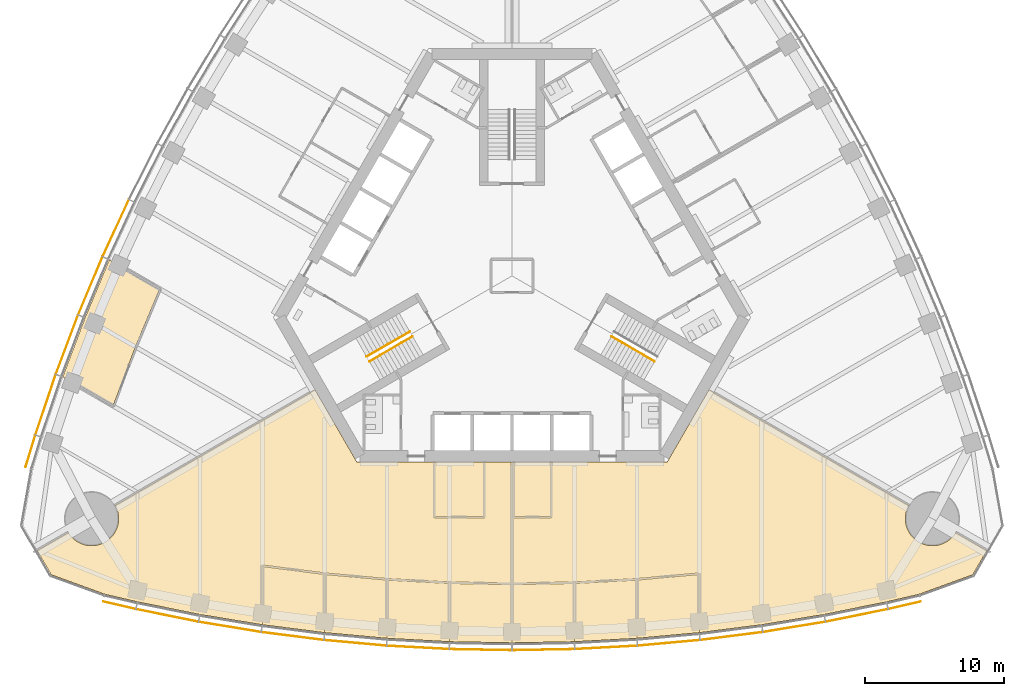
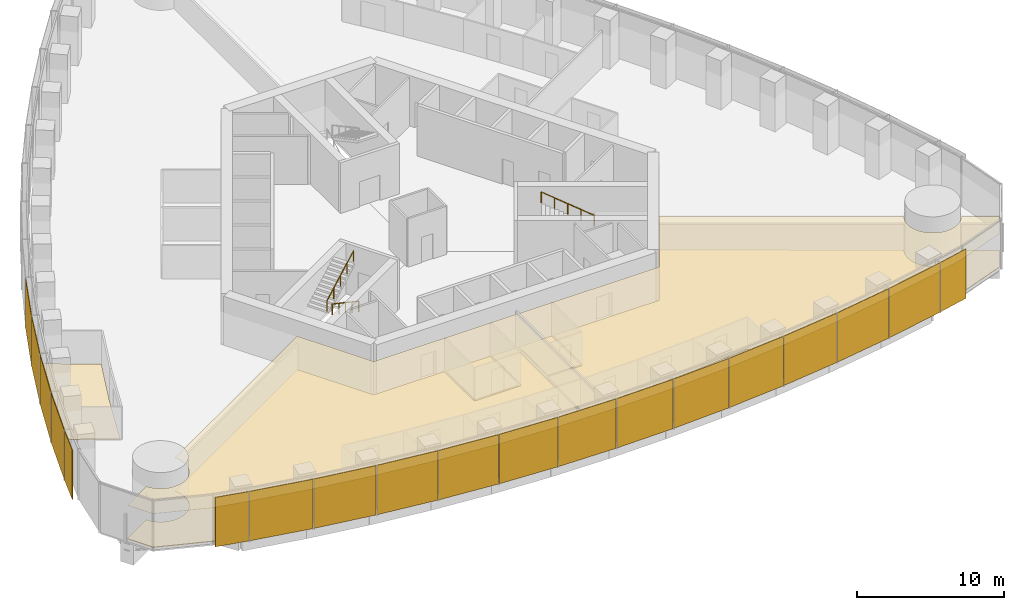
# One storey, part 15 of 19: 19 shading devices, 13 coverings, 3 railings.
"""IFC4 building model written with IfcOpenShell, lengths in metres."""

import ifcopenshell
import ifcopenshell.guid

model = None  # the IFC model being written
_history = None  # IfcOwnerHistory: only IFC2X3 demands one
_inside = {}  # id of a spatial element -> (the spatial element, [elements in it])
_under = {}  # id of a project, library or spatial element -> (it, [spatial elements below it])
_declared = {}  # id of a project -> (the project, [libraries it declares])
_typed = {}  # id of a type object -> (the type object, [elements of that type])
_made_of = {}  # id of a material, layer set ... -> (it, [elements and type objects made of it])


def new_model(schema):
    """Start an empty IFC model of exactly this schema.

    Asked for "IFC4X3", IfcOpenShell would pick the latest addendum, in which some entities
    have other attributes; the version numbers below select the first issue.
    IFC2X3 requires an IfcOwnerHistory on every rooted entity: one is made here for all.
    """
    global model, _history
    if schema == "IFC4X3":
        model = ifcopenshell.file(schema_version=(4, 3, 0, 0))
    else:
        model = ifcopenshell.file(schema=schema)
    _inside.clear()
    _under.clear()
    _declared.clear()
    _typed.clear()
    _made_of.clear()
    _history = None
    if model.schema == "IFC2X3":
        org = make("IfcOrganization", Name="unknown")
        user = make(
            "IfcPersonAndOrganization",
            ThePerson=make("IfcPerson", FamilyName="unknown"),
            TheOrganization=org,
        )
        app = make(
            "IfcApplication",
            ApplicationDeveloper=org,
            Version="unknown",
            ApplicationFullName="unknown",
            ApplicationIdentifier="unknown",
        )
        _history = make(
            "IfcOwnerHistory",
            OwningUser=user,
            OwningApplication=app,
            ChangeAction="ADDED",
            CreationDate=0,
        )
    return model


def make(cls, **values):
    """One entity of the class cls with the attributes given. An attribute that is None is left unset."""
    return model.create_entity(
        cls, **{name: value for name, value in values.items() if value is not None}
    )


def rooted(cls, **values):
    """An entity with a GlobalId (a new one), such as an element, a storey or a relation."""
    return make(cls, GlobalId=ifcopenshell.guid.new(), OwnerHistory=_history, **values)


def si_unit(unit_type, name, prefix=None):
    """IfcSIUnit, for example si_unit("LENGTHUNIT", "METRE", prefix="MILLI")."""
    return make("IfcSIUnit", UnitType=unit_type, Prefix=prefix, Name=name)


def assignment(units):
    """IfcUnitAssignment: the units of a project."""
    return None if units is None else make("IfcUnitAssignment", Units=units)


def point(xyz):
    """IfcCartesianPoint."""
    return None if xyz is None else make("IfcCartesianPoint", Coordinates=xyz)


def direction(xyz):
    """IfcDirection."""
    return None if xyz is None else make("IfcDirection", DirectionRatios=xyz)


def frame(location, z_axis=None, x_axis=None):
    """IfcAxis2Placement3D, a coordinate frame: its origin and axes. An axis left out is left unset."""
    return make(
        "IfcAxis2Placement3D",
        Location=point(location),
        Axis=direction(z_axis),
        RefDirection=direction(x_axis),
    )


def frame_2d(location, x_axis=None):
    """IfcAxis2Placement2D, a coordinate frame in the plane: its origin and x axis."""
    return make(
        "IfcAxis2Placement2D", Location=point(location), RefDirection=direction(x_axis)
    )


def origin():
    """The frame at (0, 0, 0) with its axes left unset."""
    return frame((0.0, 0.0, 0.0))


def origin_2d():
    """The frame at (0, 0) in the plane with its x axis left unset."""
    return frame_2d((0.0, 0.0))


def place(relative_to, where):
    """IfcLocalPlacement: puts the frame where relative to a parent placement (None: the world)."""
    return make(
        "IfcLocalPlacement", PlacementRelTo=relative_to, RelativePlacement=where
    )


def context(
    kind, dimensions, precision=None, world=None, true_north=None, identifier=None
):
    """IfcGeometricRepresentationContext, for example the 3D "Model" context."""
    return make(
        "IfcGeometricRepresentationContext",
        ContextIdentifier=identifier,
        ContextType=kind,
        CoordinateSpaceDimension=dimensions,
        Precision=precision,
        WorldCoordinateSystem=world,
        TrueNorth=true_north,
    )


def subcontext(parent, identifier, kind, view, scale=None):
    """IfcGeometricRepresentationSubContext, for example "Body" below "Model"."""
    return make(
        "IfcGeometricRepresentationSubContext",
        ContextIdentifier=identifier,
        ContextType=kind,
        ParentContext=parent,
        TargetScale=scale,
        TargetView=view,
    )


def project(units=None, contexts=None):
    """IfcProject with its units and contexts."""
    return rooted(
        "IfcProject",
        Name="project",
        RepresentationContexts=contexts,
        UnitsInContext=assignment(units),
    )


def spatial(cls, under=None, at=None, **own):
    """A site, building, storey or space (cls), placed at a placement, below another one or the project."""
    s = rooted(cls, ObjectPlacement=at, **own)
    if under is not None:
        _under.setdefault(under.id(), (under, []))[1].append(s)
    return s


def polyline(points):
    """IfcPolyline through the points."""
    return make("IfcPolyline", Points=[point(p) for p in points])


def profile(cls, at=None, kind="AREA", **sizes):
    """A parametric profile (cls). Its sizes go by their IFC names, for example OverallWidth=200.0."""
    return make(cls, ProfileType=kind, Position=at, **sizes)


def rectangle(**sizes):
    """IfcRectangleProfileDef."""
    return profile("IfcRectangleProfileDef", **sizes)


def circle(**sizes):
    """IfcCircleProfileDef."""
    return profile("IfcCircleProfileDef", **sizes)


def outline(outer, holes=None, kind="AREA"):
    """IfcArbitraryClosedProfileDef: a profile drawn as a closed curve; with holes, ...WithVoids."""
    if holes is None:
        return make("IfcArbitraryClosedProfileDef", ProfileType=kind, OuterCurve=outer)
    return make(
        "IfcArbitraryProfileDefWithVoids",
        ProfileType=kind,
        OuterCurve=outer,
        InnerCurves=holes,
    )


def extrude(swept, where, along, depth):
    """IfcExtrudedAreaSolid: the profile swept, set in the frame where, extruded along a direction by depth."""
    return make(
        "IfcExtrudedAreaSolid",
        SweptArea=swept,
        Position=where,
        ExtrudedDirection=direction(along),
        Depth=depth,
    )


def shape(context_of_items, identifier, shape_type, items):
    """IfcShapeRepresentation: the items that make up one representation, for example the "Body"."""
    return make(
        "IfcShapeRepresentation",
        ContextOfItems=context_of_items,
        RepresentationIdentifier=identifier,
        RepresentationType=shape_type,
        Items=items,
    )


def material(Name=None, Category=None):
    """IfcMaterial."""
    return make("IfcMaterial", Name=Name, Category=Category)


def layer(
    of_material, thickness, ventilated=None, Name=None, Category=None, Priority=None
):
    """IfcMaterialLayer: one layer of a wall or slab, of a material (None: an air gap)."""
    return make(
        "IfcMaterialLayer",
        Material=of_material,
        LayerThickness=thickness,
        IsVentilated=ventilated,
        Name=Name,
        Category=Category,
        Priority=Priority,
    )


def layer_set(layers, Name=None):
    """IfcMaterialLayerSet."""
    return make("IfcMaterialLayerSet", MaterialLayers=layers, LayerSetName=Name)


def made_of(thing, what):
    """Note that an element or type object is made of a material, layer set ...; save() writes the relation."""
    if what is not None:
        _made_of.setdefault(what.id(), (what, []))[1].append(thing)
    return thing


def type_object(cls, material=None, **own):
    """A type object (cls), such as IfcWallType, which elements share."""
    return made_of(rooted(cls, **own), material)


def element(
    cls,
    number,
    at=None,
    inside=None,
    cuts=None,
    type_object=None,
    material=None,
    context=None,
    identifier="Body",
    shape_type=None,
    held_by="IfcProductDefinitionShape",
    body=None,
    shapes=None,
    **own,
):
    """One element of the class cls, such as IfcWall. Its Tag is "e" and its number.

    at: its placement. inside: the storey or other place that contains it. cuts: it is an
    opening in that element (IfcRelVoidsElement). A single representation is given by context,
    identifier, shape_type and body (its items); several are given by shapes. held_by: the class
    of the entity that holds the representations. save() writes the other relations.
    """
    e = rooted(cls, Tag="e%d" % number, ObjectPlacement=at, **own)
    if body is not None:
        shapes = [shape(context, identifier, shape_type, body)]
    if shapes is not None:
        e.Representation = make(held_by, Representations=shapes)
    if inside is not None:
        _inside.setdefault(inside.id(), (inside, []))[1].append(e)
    if cuts is not None:
        rooted(
            "IfcRelVoidsElement", RelatingBuildingElement=cuts, RelatedOpeningElement=e
        )
    if type_object is not None:
        _typed.setdefault(type_object.id(), (type_object, []))[1].append(e)
    return made_of(e, material)


def aggregate(whole, parts):
    """IfcRelAggregates: a whole, such as a stair, and the parts it consists of."""
    return rooted("IfcRelAggregates", RelatingObject=whole, RelatedObjects=parts)


def save(model, path):
    """Write the relations noted so far, then the file.

    IfcRelAggregates (storeys below a building ...), IfcRelContainedInSpatialStructure (elements
    in a storey), IfcRelDefinesByType, IfcRelAssociatesMaterial and IfcRelDeclares: one each for
    every whole, place, type object, material and project.
    """
    for whole, parts in _under.values():
        aggregate(whole, parts)
    for where, things in _inside.values():
        rooted(
            "IfcRelContainedInSpatialStructure",
            RelatedElements=things,
            RelatingStructure=where,
        )
    for kind, things in _typed.values():
        rooted("IfcRelDefinesByType", RelatedObjects=things, RelatingType=kind)
    for what, things in _made_of.values():
        rooted("IfcRelAssociatesMaterial", RelatedObjects=things, RelatingMaterial=what)
    for by, libraries in _declared.values():
        rooted("IfcRelDeclares", RelatingContext=by, RelatedDefinitions=libraries)
    model.write(path)


model = new_model("IFC4")

# Units and contexts
model_context = context("Model", 3, precision=1e-05, world=origin(), true_north=direction((0.0, 1.0)))
body_context = subcontext(model_context, "Body", "Model", "MODEL_VIEW")
ifc_project = project(units=[si_unit("LENGTHUNIT", "METRE"), si_unit("AREAUNIT", "SQUARE_METRE"), si_unit("VOLUMEUNIT", "CUBIC_METRE"), si_unit("PLANEANGLEUNIT", "RADIAN"), si_unit("MASSUNIT", "GRAM", prefix="KILO")], contexts=[model_context])

# Site, building, storey
site_placement = place(None, origin())
site = spatial("IfcSite", under=ifc_project, at=site_placement, CompositionType="ELEMENT")
building_placement = place(site_placement, origin())
building = spatial("IfcBuilding", under=site, at=building_placement, Name="Trefoil Bronze Tower", CompositionType="ELEMENT")
storey_placement = place(building_placement, frame((0.0, 0.0, 140.89990234375)))
storey = spatial("IfcBuildingStorey", under=building, at=storey_placement, Name="L32", CompositionType="ELEMENT", Elevation=140.89990234375)

# Shading devices
ifc_material_1 = material(Name="Perforated bronze sheet", Category="bronze")
ifc_layer_1 = layer(ifc_material_1, 0.0400390625)
ifc_layer_set_1 = layer_set([ifc_layer_1], Name="Bronze solar screen panel")
shading_device_type = type_object("IfcShadingDeviceType", Name="Bronze solar screen panel", PredefinedType="SHUTTER", material=ifc_layer_set_1)
shading_device_1_placement = place(storey_placement, frame((-28.30078125, -23.748779296875, 0.050048828125), z_axis=(0.0, 0.0, 1.0), x_axis=(0.97420444715, -0.225667222151, 0.0)))
element("IfcShadingDevice", 1, at=shading_device_1_placement, inside=storey, type_object=shading_device_type, Name="Solar screen CW-A L32 F1 bay 1", PredefinedType="SHUTTER", context=body_context, shape_type="SweptSolid", body=[
    extrude(rectangle(XDim=2.39013671875, YDim=0.0400390625, at=origin_2d()), origin(), (0.0, 0.0, 1.0), 4.10009765625),
])
shading_device_2_placement = place(storey_placement, frame((-24.85693359375, -24.480224609375, 0.050048828125), z_axis=(0.0, 0.0, 1.0), x_axis=(0.980155155547, -0.198231861853, 0.0)))
element("IfcShadingDevice", 2, at=shading_device_2_placement, inside=storey, type_object=shading_device_type, Name="Solar screen CW-A L32 F1 bay 2", PredefinedType="SHUTTER", context=body_context, shape_type="SweptSolid", body=[
    extrude(rectangle(XDim=4.56103515625, YDim=0.0400390625, at=origin_2d()), origin(), (0.0, 0.0, 1.0), 4.10009765625),
])
shading_device_3_placement = place(storey_placement, frame((-20.337646484375, -25.30859375, 0.050048828125), z_axis=(0.0, 0.0, 1.0), x_axis=(0.986759655731, -0.162189339418, 0.0)))
element("IfcShadingDevice", 3, at=shading_device_3_placement, inside=storey, type_object=shading_device_type, Name="Solar screen CW-A L32 F1 bay 3", PredefinedType="SHUTTER", context=body_context, shape_type="SweptSolid", body=[
    extrude(rectangle(XDim=4.5302734375, YDim=0.0400390625, at=origin_2d()), origin(), (0.0, 0.0, 1.0), 4.10009765625),
])
shading_device_4_placement = place(storey_placement, frame((-15.818115234375, -25.96728515625, 0.050048828125), z_axis=(0.0, 0.0, 1.0), x_axis=(0.992011554286, -0.126147041833, 0.0)))
element("IfcShadingDevice", 4, at=shading_device_4_placement, inside=storey, type_object=shading_device_type, Name="Solar screen CW-A L32 F1 bay 4", PredefinedType="SHUTTER", context=body_context, shape_type="SweptSolid", body=[
    extrude(rectangle(XDim=4.50634765625, YDim=0.0400390625, at=origin_2d()), origin(), (0.0, 0.0, 1.0), 4.10009765625),
])
shading_device_5_placement = place(storey_placement, frame((-11.298583984375, -26.459228515625, 0.050048828125), z_axis=(0.0, 0.0, 1.0), x_axis=(0.995932279146, -0.090104913044, 0.0)))
element("IfcShadingDevice", 5, at=shading_device_5_placement, inside=storey, type_object=shading_device_type, Name="Solar screen CW-A L32 F1 bay 5", PredefinedType="SHUTTER", context=body_context, shape_type="SweptSolid", body=[
    extrude(rectangle(XDim=4.48828125, YDim=0.0400390625, at=origin_2d()), origin(), (0.0, 0.0, 1.0), 4.10009765625),
])
shading_device_6_placement = place(storey_placement, frame((-6.779296875, -26.785888671875, 0.050048828125), z_axis=(0.0, 0.0, 1.0), x_axis=(0.998537531923, -0.054062901701, 0.0)))
element("IfcShadingDevice", 6, at=shading_device_6_placement, inside=storey, type_object=shading_device_type, Name="Solar screen CW-A L32 F1 bay 6", PredefinedType="SHUTTER", context=body_context, shape_type="SweptSolid", body=[
    extrude(rectangle(XDim=4.4765625, YDim=0.0400390625, at=origin_2d()), origin(), (0.0, 0.0, 1.0), 4.10009765625),
])
for number, where, z_axis, x_axis, name in (
    (7, (-2.259765625, -26.948974609375, 0.050048828125), (0.0, 0.0, 1.0), (0.999837609322, -0.018020959612, 0.0), "Solar screen CW-A L32 F1 bay 7"),
    (8, (2.259765625, -26.948974609375, 0.050048828125), (0.0, 0.0, 1.0), (0.999837609322, 0.018020959612, 0.0), "Solar screen CW-A L32 F1 bay 8"),
):
    element("IfcShadingDevice", number, at=place(storey_placement, frame(where, z_axis=z_axis, x_axis=x_axis)), inside=storey, type_object=shading_device_type, Name=name, PredefinedType="SHUTTER", context=body_context, shape_type="SweptSolid", body=[
        extrude(rectangle(XDim=4.470703125, YDim=0.0400390625, at=origin_2d()), origin(), (0.0, 0.0, 1.0), 4.10009765625),
    ])
shading_device_7_placement = place(storey_placement, frame((6.779296875, -26.785888671875, 0.050048828125), z_axis=(0.0, 0.0, 1.0), x_axis=(0.998537531923, 0.054062901701, 0.0)))
element("IfcShadingDevice", 9, at=shading_device_7_placement, inside=storey, type_object=shading_device_type, Name="Solar screen CW-A L32 F1 bay 9", PredefinedType="SHUTTER", context=body_context, shape_type="SweptSolid", body=[
    extrude(rectangle(XDim=4.4765625, YDim=0.0400390625, at=origin_2d()), origin(), (0.0, 0.0, 1.0), 4.10009765625),
])
shading_device_8_placement = place(storey_placement, frame((11.298583984375, -26.459228515625, 0.050048828125), z_axis=(0.0, 0.0, 1.0), x_axis=(0.995932279146, 0.090104913044, 0.0)))
element("IfcShadingDevice", 10, at=shading_device_8_placement, inside=storey, type_object=shading_device_type, Name="Solar screen CW-A L32 F1 bay 10", PredefinedType="SHUTTER", context=body_context, shape_type="SweptSolid", body=[
    extrude(rectangle(XDim=4.48828125, YDim=0.0400390625, at=origin_2d()), origin(), (0.0, 0.0, 1.0), 4.10009765625),
])
shading_device_9_placement = place(storey_placement, frame((15.818115234375, -25.96728515625, 0.050048828125), z_axis=(0.0, 0.0, 1.0), x_axis=(0.992011554286, 0.126147041833, 0.0)))
element("IfcShadingDevice", 11, at=shading_device_9_placement, inside=storey, type_object=shading_device_type, Name="Solar screen CW-A L32 F1 bay 11", PredefinedType="SHUTTER", context=body_context, shape_type="SweptSolid", body=[
    extrude(rectangle(XDim=4.50634765625, YDim=0.0400390625, at=origin_2d()), origin(), (0.0, 0.0, 1.0), 4.10009765625),
])
shading_device_10_placement = place(storey_placement, frame((20.337646484375, -25.30859375, 0.050048828125), z_axis=(0.0, 0.0, 1.0), x_axis=(0.986759655731, 0.162189339418, 0.0)))
element("IfcShadingDevice", 12, at=shading_device_10_placement, inside=storey, type_object=shading_device_type, Name="Solar screen CW-A L32 F1 bay 12", PredefinedType="SHUTTER", context=body_context, shape_type="SweptSolid", body=[
    extrude(rectangle(XDim=4.5302734375, YDim=0.0400390625, at=origin_2d()), origin(), (0.0, 0.0, 1.0), 4.10009765625),
])
shading_device_11_placement = place(storey_placement, frame((24.85693359375, -24.480224609375, 0.050048828125), z_axis=(0.0, 0.0, 1.0), x_axis=(0.980155155547, 0.198231861853, 0.0)))
element("IfcShadingDevice", 13, at=shading_device_11_placement, inside=storey, type_object=shading_device_type, Name="Solar screen CW-A L32 F1 bay 13", PredefinedType="SHUTTER", context=body_context, shape_type="SweptSolid", body=[
    extrude(rectangle(XDim=4.56103515625, YDim=0.0400390625, at=origin_2d()), origin(), (0.0, 0.0, 1.0), 4.10009765625),
])
shading_device_12_placement = place(storey_placement, frame((28.30078125, -23.748779296875, 0.050048828125), z_axis=(0.0, 0.0, 1.0), x_axis=(0.97420444715, 0.225667222151, 0.0)))
element("IfcShadingDevice", 14, at=shading_device_12_placement, inside=storey, type_object=shading_device_type, Name="Solar screen CW-A L32 F1 bay 14", PredefinedType="SHUTTER", context=body_context, shape_type="SweptSolid", body=[
    extrude(rectangle(XDim=2.39013671875, YDim=0.0400390625, at=origin_2d()), origin(), (0.0, 0.0, 1.0), 4.10009765625),
])
shading_device_13_placement = place(storey_placement, frame((-28.563720703125, 3.444580078125, 0.050048828125), z_axis=(0.0, 0.0, 1.0), x_axis=(-0.419932995871, -0.907555110712, 0.0)))
element("IfcShadingDevice", 15, at=shading_device_13_placement, inside=storey, type_object=shading_device_type, Name="Solar screen CW-A L32 F3 bay 10", PredefinedType="SHUTTER", context=body_context, shape_type="SweptSolid", body=[
    extrude(rectangle(XDim=4.48828125, YDim=0.0400390625, at=origin_2d()), origin(), (0.0, 0.0, 1.0), 4.10009765625),
])
shading_device_14_placement = place(storey_placement, frame((-30.3974609375, -0.715087890625, 0.050048828125), z_axis=(0.0, 0.0, 1.0), x_axis=(-0.386759234303, -0.922180727776, 0.0)))
element("IfcShadingDevice", 16, at=shading_device_14_placement, inside=storey, type_object=shading_device_type, Name="Solar screen CW-A L32 F3 bay 11", PredefinedType="SHUTTER", context=body_context, shape_type="SweptSolid", body=[
    extrude(rectangle(XDim=4.50634765625, YDim=0.0400390625, at=origin_2d()), origin(), (0.0, 0.0, 1.0), 4.10009765625),
])
shading_device_15_placement = place(storey_placement, frame((-32.086669921875, -4.95849609375, 0.050048828125), z_axis=(0.0, 0.0, 1.0), x_axis=(-0.352919739707, -0.935653599002, 0.0)))
element("IfcShadingDevice", 17, at=shading_device_15_placement, inside=storey, type_object=shading_device_type, Name="Solar screen CW-A L32 F3 bay 12", PredefinedType="SHUTTER", context=body_context, shape_type="SweptSolid", body=[
    extrude(rectangle(XDim=4.5302734375, YDim=0.0400390625, at=origin_2d()), origin(), (0.0, 0.0, 1.0), 4.10009765625),
])
shading_device_16_placement = place(storey_placement, frame((-33.62890625, -9.286865234375, 0.050048828125), z_axis=(0.0, 0.0, 1.0), x_axis=(-0.318403749569, -0.947955195281, 0.0)))
element("IfcShadingDevice", 18, at=shading_device_16_placement, inside=storey, type_object=shading_device_type, Name="Solar screen CW-A L32 F3 bay 13", PredefinedType="SHUTTER", context=body_context, shape_type="SweptSolid", body=[
    extrude(rectangle(XDim=4.56103515625, YDim=0.0400390625, at=origin_2d()), origin(), (0.0, 0.0, 1.0), 4.10009765625),
])
shading_device_17_placement = place(storey_placement, frame((-34.717529296875, -12.634765625, 0.050048828125), z_axis=(0.0, 0.0, 1.0), x_axis=(-0.291668676391, -0.956519410787, 0.0)))
element("IfcShadingDevice", 19, at=shading_device_17_placement, inside=storey, type_object=shading_device_type, Name="Solar screen CW-A L32 F3 bay 14", PredefinedType="SHUTTER", context=body_context, shape_type="SweptSolid", body=[
    extrude(rectangle(XDim=2.39013671875, YDim=0.0400390625, at=origin_2d()), origin(), (0.0, 0.0, 1.0), 4.10009765625),
])

# Railings
ifc_material_2 = material(Name="Steel handrail", Category="steel")
railing_type = type_object("IfcRailingType", Name="Handrail 900", PredefinedType="HANDRAIL", material=ifc_material_2)
railing_1_placement = place(storey_placement, frame((10.28369140625, -6.168212890625, 2.26171875)))
element("IfcRailing", 20, at=railing_1_placement, inside=storey, type_object=railing_type, Name="Handrail ST1 flight 2 L32", PredefinedType="HANDRAIL", context=body_context, shape_type="SweptSolid", body=[
    extrude(circle(Radius=0.02392578125, at=origin_2d()), frame((0.0, 0.0, 0.8759765625), z_axis=(-0.76250339821, 0.440245697338, 0.474101564745), x_axis=(-0.500012057535, -0.866018442252, 0.0)), (0.0, 0.0, 1.0), 4.088623046875),
    extrude(circle(Radius=0.02099609375, at=origin_2d()), origin(), (0.0, 0.0, 1.0), 0.851806640625),
    extrude(circle(Radius=0.02099609375, at=origin_2d()), frame((-0.779296875, 0.449951171875, 0.484619140625)), (0.0, 0.0, 1.0), 0.851806640625),
    extrude(circle(Radius=0.02099609375, at=origin_2d()), frame((-1.558837890625, 0.89990234375, 0.96923828125)), (0.0, 0.0, 1.0), 0.851806640625),
    extrude(circle(Radius=0.02099609375, at=origin_2d()), frame((-2.33837890625, 1.35009765625, 1.453857421875)), (0.0, 0.0, 1.0), 0.851806640625),
    extrude(circle(Radius=0.02099609375, at=origin_2d()), frame((-3.11767578125, 1.800048828125, 1.9384765625)), (0.0, 0.0, 1.0), 0.851806640625),
])
railing_2_placement = place(storey_placement, frame((-7.166015625, -4.3681640625, 0.16162109375)))
element("IfcRailing", 21, at=railing_2_placement, inside=storey, type_object=railing_type, Name="Handrail ST3 flight 1 L32", PredefinedType="HANDRAIL", context=body_context, shape_type="SweptSolid", body=[
    extrude(circle(Radius=0.02392578125, at=origin_2d()), frame((0.0, 0.0, 0.8759765625), z_axis=(-0.76250339821, -0.440245697338, 0.474101564745), x_axis=(0.500012057535, -0.866018442252, 0.0)), (0.0, 0.0, 1.0), 4.088623046875),
    extrude(circle(Radius=0.02099609375, at=origin_2d()), origin(), (0.0, 0.0, 1.0), 0.851806640625),
    extrude(circle(Radius=0.02099609375, at=origin_2d()), frame((-0.779296875, -0.449951171875, 0.484619140625)), (0.0, 0.0, 1.0), 0.851806640625),
    extrude(circle(Radius=0.02099609375, at=origin_2d()), frame((-1.558837890625, -0.89990234375, 0.96923828125)), (0.0, 0.0, 1.0), 0.851806640625),
    extrude(circle(Radius=0.02099609375, at=origin_2d()), frame((-2.33837890625, -1.35009765625, 1.453857421875)), (0.0, 0.0, 1.0), 0.851806640625),
    extrude(circle(Radius=0.02099609375, at=origin_2d()), frame((-3.11767578125, -1.800048828125, 1.9384765625)), (0.0, 0.0, 1.0), 0.851806640625),
])
railing_3_placement = place(storey_placement, frame((-10.483642578125, -5.82177734375, 2.26171875)))
element("IfcRailing", 22, at=railing_3_placement, inside=storey, type_object=railing_type, Name="Handrail ST3 flight 2 L32", PredefinedType="HANDRAIL", context=body_context, shape_type="SweptSolid", body=[
    extrude(circle(Radius=0.02392578125, at=origin_2d()), frame((0.0, 0.0, 0.8759765625), z_axis=(0.76250339821, 0.440245697338, 0.474101564745), x_axis=(-0.500012057535, 0.866018442252, 0.0)), (0.0, 0.0, 1.0), 4.088623046875),
    extrude(circle(Radius=0.02099609375, at=origin_2d()), origin(), (0.0, 0.0, 1.0), 0.851806640625),
    extrude(circle(Radius=0.02099609375, at=origin_2d()), frame((0.779296875, 0.449951171875, 0.484619140625)), (0.0, 0.0, 1.0), 0.851806640625),
    extrude(circle(Radius=0.02099609375, at=origin_2d()), frame((1.558837890625, 0.89990234375, 0.96923828125)), (0.0, 0.0, 1.0), 0.851806640625),
    extrude(circle(Radius=0.02099609375, at=origin_2d()), frame((2.33837890625, 1.35009765625, 1.453857421875)), (0.0, 0.0, 1.0), 0.851806640625),
    extrude(circle(Radius=0.02099609375, at=origin_2d()), frame((3.11767578125, 1.800048828125, 1.9384765625)), (0.0, 0.0, 1.0), 0.851806640625),
])

# Coverings
ifc_material_3 = material(Name="Acoustic ceiling panels", Category="mineral fibre")
ifc_layer_2 = layer(ifc_material_3, 0.02001953125)
ifc_layer_set_2 = layer_set([ifc_layer_2], Name="Office ceiling 20")
covering_type_1 = type_object("IfcCoveringType", Name="Office ceiling 20", PredefinedType="CEILING", material=ifc_layer_set_2)
covering_1_placement = place(storey_placement, frame((0.0, 0.0, 2.900146484375)))
element("IfcCovering", 23, at=covering_1_placement, inside=storey, type_object=covering_type_1, Name="Ceiling L32 Open-plan office F1", PredefinedType="CEILING", context=body_context, shape_type="SweptSolid", body=[
    extrude(outline(polyline([(-31.932373046875, -18.58349609375), (-31.877197265625, -18.66162109375), (-31.818359375, -18.737060546875), (-31.755615234375, -18.8095703125), (-31.689697265625, -18.87890625), (-31.620361328125, -18.94482421875), (-31.548095703125, -19.00732421875), (-31.472412109375, -19.06640625), (-31.394287109375, -19.121337890625), (-31.3134765625, -19.172607421875), (-31.22998046875, -19.2197265625), (-31.14453125, -19.2626953125), (-31.05712890625, -19.301513671875), (-30.9677734375, -19.3359375), (-30.876953125, -19.365966796875), (-30.78466796875, -19.3916015625), (-30.69140625, -19.41259765625), (-30.596923828125, -19.428955078125), (-30.501953125, -19.440673828125), (-30.406494140625, -19.44775390625), (-30.310791015625, -19.449951171875), (-30.215087890625, -19.44775390625), (-30.119873046875, -19.440673828125), (-30.02490234375, -19.428955078125), (-29.930419921875, -19.41259765625), (-29.837158203125, -19.3916015625), (-29.744873046875, -19.365966796875), (-29.654052734375, -19.3359375), (-29.564697265625, -19.301513671875), (-29.477294921875, -19.2626953125), (-29.3916015625, -19.2197265625), (-29.308349609375, -19.172607421875), (-29.2275390625, -19.121337890625), (-29.1494140625, -19.06640625), (-29.07373046875, -19.00732421875), (-29.001220703125, -18.94482421875), (-28.931884765625, -18.87890625), (-28.865966796875, -18.8095703125), (-28.803466796875, -18.737060546875), (-28.74462890625, -18.66162109375), (-28.689453125, -18.58349609375), (-28.63818359375, -18.50244140625), (-28.591064453125, -18.419189453125), (-28.548095703125, -18.333740234375), (-28.50927734375, -18.24609375), (-28.474853515625, -18.156982421875), (-28.44482421875, -18.066162109375), (-28.419189453125, -17.973876953125), (-28.3984375, -17.88037109375), (-28.382080078125, -17.7861328125), (-28.370361328125, -17.691162109375), (-28.36328125, -17.595703125), (-28.36083984375, -17.5), (-28.36328125, -17.404296875), (-28.370361328125, -17.308837890625), (-28.382080078125, -17.2138671875), (-28.3984375, -17.11962890625), (-28.419189453125, -17.026123046875), (-28.44482421875, -16.933837890625), (-28.474853515625, -16.843017578125), (-28.50927734375, -16.75390625), (-28.548095703125, -16.666259765625), (-28.591064453125, -16.580810546875), (-28.616455078125, -16.535888671875), (-14.19970703125, -8.205322265625), (-11.20068359375, -13.39990234375), (11.20068359375, -13.39990234375), (14.19970703125, -8.205322265625), (28.616455078125, -16.535888671875), (28.591064453125, -16.580810546875), (28.548095703125, -16.666259765625), (28.50927734375, -16.75390625), (28.474853515625, -16.843017578125), (28.44482421875, -16.933837890625), (28.419189453125, -17.026123046875), (28.3984375, -17.11962890625), (28.382080078125, -17.2138671875), (28.370361328125, -17.308837890625), (28.36328125, -17.404296875), (28.36083984375, -17.5), (28.36328125, -17.595703125), (28.370361328125, -17.691162109375), (28.382080078125, -17.7861328125), (28.3984375, -17.88037109375), (28.419189453125, -17.973876953125), (28.44482421875, -18.066162109375), (28.474853515625, -18.156982421875), (28.50927734375, -18.24609375), (28.548095703125, -18.333740234375), (28.591064453125, -18.419189453125), (28.63818359375, -18.50244140625), (28.689453125, -18.58349609375), (28.74462890625, -18.66162109375), (28.803466796875, -18.737060546875), (28.865966796875, -18.8095703125), (28.931884765625, -18.87890625), (29.001220703125, -18.94482421875), (29.07373046875, -19.00732421875), (29.1494140625, -19.06640625), (29.2275390625, -19.121337890625), (29.308349609375, -19.172607421875), (29.3916015625, -19.2197265625), (29.477294921875, -19.2626953125), (29.564697265625, -19.301513671875), (29.654052734375, -19.3359375), (29.744873046875, -19.365966796875), (29.837158203125, -19.3916015625), (29.930419921875, -19.41259765625), (30.02490234375, -19.428955078125), (30.119873046875, -19.440673828125), (30.215087890625, -19.44775390625), (30.310791015625, -19.449951171875), (30.406494140625, -19.44775390625), (30.501953125, -19.440673828125), (30.596923828125, -19.428955078125), (30.69140625, -19.41259765625), (30.78466796875, -19.3916015625), (30.876953125, -19.365966796875), (30.9677734375, -19.3359375), (31.05712890625, -19.301513671875), (31.14453125, -19.2626953125), (31.22998046875, -19.2197265625), (31.3134765625, -19.172607421875), (31.394287109375, -19.121337890625), (31.472412109375, -19.06640625), (31.548095703125, -19.00732421875), (31.620361328125, -18.94482421875), (31.689697265625, -18.87890625), (31.755615234375, -18.8095703125), (31.818359375, -18.737060546875), (31.877197265625, -18.66162109375), (31.932373046875, -18.58349609375), (31.992431640625, -18.48681640625), (34.233154296875, -19.781494140625), (33.21435546875, -21.5458984375), (29.357666015625, -22.94970703125), (27.0, -23.495849609375), (22.5, -24.406005859375), (18.0, -25.1455078125), (13.5, -25.7177734375), (9.0, -26.125), (4.5, -26.36865234375), (0.0, -26.44970703125), (-4.5, -26.36865234375), (-9.0, -26.125), (-13.5, -25.7177734375), (-18.0, -25.1455078125), (-22.5, -24.406005859375), (-27.0, -23.495849609375), (-29.357666015625, -22.94970703125), (-33.21435546875, -21.5458984375), (-34.233154296875, -19.781494140625), (-31.992431640625, -18.48681640625), (-31.932373046875, -18.58349609375)])), origin(), (0.0, 0.0, 1.0), 0.02001953125),
])
ifc_material_4 = material(Name="Raised access floor panels", Category="steel")
ifc_layer_3 = layer(ifc_material_4, 0.050048828125)
ifc_layer_set_3 = layer_set([ifc_layer_3], Name="Raised access floor 150")
covering_type_2 = type_object("IfcCoveringType", Name="Raised access floor 150", PredefinedType="FLOORING", material=ifc_layer_set_3)
covering_2_placement = place(storey_placement, frame((0.0, 0.0, 0.10009765625)))
element("IfcCovering", 24, at=covering_2_placement, inside=storey, type_object=covering_type_2, Name="Raised floor L32 Meeting room F1", PredefinedType="FLOORING", context=body_context, shape_type="SweptSolid", body=[
    extrude(outline(polyline([(-2.06005859375, -13.39990234375), (-2.06005859375, -17.340087890625), (-5.5400390625, -17.340087890625), (-5.5400390625, -13.39990234375), (-2.06005859375, -13.39990234375)])), origin(), (0.0, 0.0, 1.0), 0.050048828125),
])
covering_3_placement = place(storey_placement, frame((0.0, 0.0, 0.10009765625)))
element("IfcCovering", 25, at=covering_3_placement, inside=storey, type_object=covering_type_2, Name="Raised floor L32 Pantry F1", PredefinedType="FLOORING", context=body_context, shape_type="SweptSolid", body=[
    extrude(outline(polyline([(2.764892578125, -13.39990234375), (2.764892578125, -17.340087890625), (0.18505859375, -17.340087890625), (0.18505859375, -13.39990234375), (2.764892578125, -13.39990234375)])), origin(), (0.0, 0.0, 1.0), 0.050048828125),
])
covering_4_placement = place(storey_placement, frame((0.0, 0.0, 0.10009765625)))
element("IfcCovering", 26, at=covering_4_placement, inside=storey, type_object=covering_type_2, Name="Raised floor L32 Office F1", PredefinedType="FLOORING", context=body_context, shape_type="SweptSolid", body=[
    extrude(outline(polyline([(-13.5, -25.7177734375), (-18.0, -25.1455078125), (-18.0, -23.67529296875), (-17.93994140625, -23.67529296875), (-17.93994140625, -20.963623046875), (-13.56005859375, -21.520751953125), (-13.56005859375, -24.25439453125), (-13.5, -24.25439453125), (-13.5, -25.7177734375)])), origin(), (0.0, 0.0, 1.0), 0.050048828125),
])
covering_5_placement = place(storey_placement, frame((0.0, 0.0, 0.10009765625)))
element("IfcCovering", 27, at=covering_5_placement, inside=storey, type_object=covering_type_2, Name="Raised floor L32 Office F1", PredefinedType="FLOORING", context=body_context, shape_type="SweptSolid", body=[
    extrude(outline(polyline([(-9.0, -26.125), (-13.5, -25.7177734375), (-13.5, -24.25439453125), (-13.43994140625, -24.25439453125), (-13.43994140625, -21.533447265625), (-9.06005859375, -21.9296875), (-9.06005859375, -24.666259765625), (-9.0, -24.666259765625), (-9.0, -26.125)])), origin(), (0.0, 0.0, 1.0), 0.050048828125),
])
covering_6_placement = place(storey_placement, frame((0.0, 0.0, 0.10009765625)))
element("IfcCovering", 28, at=covering_6_placement, inside=storey, type_object=covering_type_2, Name="Raised floor L32 Office F1", PredefinedType="FLOORING", context=body_context, shape_type="SweptSolid", body=[
    extrude(outline(polyline([(-4.5, -26.36865234375), (-9.0, -26.125), (-9.0, -24.666259765625), (-8.93994140625, -24.666259765625), (-8.93994140625, -21.938232421875), (-4.56005859375, -22.17529296875), (-4.56005859375, -24.91259765625), (-4.5, -24.91259765625), (-4.5, -26.36865234375)])), origin(), (0.0, 0.0, 1.0), 0.050048828125),
])
covering_7_placement = place(storey_placement, frame((0.0, 0.0, 0.10009765625)))
element("IfcCovering", 29, at=covering_7_placement, inside=storey, type_object=covering_type_2, Name="Raised floor L32 Office F1", PredefinedType="FLOORING", context=body_context, shape_type="SweptSolid", body=[
    extrude(outline(polyline([(0.0, -26.44970703125), (-4.5, -26.36865234375), (-4.5, -24.91259765625), (-4.43994140625, -24.91259765625), (-4.43994140625, -22.1796875), (-0.074951171875, -22.25830078125), (-0.074951171875, -24.99462890625), (0.0, -24.99462890625), (0.0, -26.44970703125)])), origin(), (0.0, 0.0, 1.0), 0.050048828125),
])
covering_8_placement = place(storey_placement, frame((0.0, 0.0, 0.10009765625)))
element("IfcCovering", 30, at=covering_8_placement, inside=storey, type_object=covering_type_2, Name="Raised floor L32 Office F1", PredefinedType="FLOORING", context=body_context, shape_type="SweptSolid", body=[
    extrude(outline(polyline([(4.5, -26.36865234375), (0.0, -26.44970703125), (0.0, -24.99462890625), (0.074951171875, -24.99462890625), (0.074951171875, -22.25830078125), (4.43994140625, -22.1796875), (4.43994140625, -24.91259765625), (4.5, -24.91259765625), (4.5, -26.36865234375)])), origin(), (0.0, 0.0, 1.0), 0.050048828125),
])
covering_9_placement = place(storey_placement, frame((0.0, 0.0, 0.10009765625)))
element("IfcCovering", 31, at=covering_9_placement, inside=storey, type_object=covering_type_2, Name="Raised floor L32 Office F1", PredefinedType="FLOORING", context=body_context, shape_type="SweptSolid", body=[
    extrude(outline(polyline([(9.0, -26.125), (4.5, -26.36865234375), (4.5, -24.91259765625), (4.56005859375, -24.91259765625), (4.56005859375, -22.17529296875), (8.93994140625, -21.938232421875), (8.93994140625, -24.666259765625), (9.0, -24.666259765625), (9.0, -26.125)])), origin(), (0.0, 0.0, 1.0), 0.050048828125),
])
covering_10_placement = place(storey_placement, frame((0.0, 0.0, 0.10009765625)))
element("IfcCovering", 32, at=covering_10_placement, inside=storey, type_object=covering_type_2, Name="Raised floor L32 Meeting room F1", PredefinedType="FLOORING", context=body_context, shape_type="SweptSolid", body=[
    extrude(outline(polyline([(13.5, -25.7177734375), (9.0, -26.125), (9.0, -24.666259765625), (9.06005859375, -24.666259765625), (9.06005859375, -21.9296875), (13.43994140625, -21.533447265625), (13.43994140625, -24.25439453125), (13.5, -24.25439453125), (13.5, -25.7177734375)])), origin(), (0.0, 0.0, 1.0), 0.050048828125),
])
covering_11_placement = place(storey_placement, frame((0.0, 0.0, 0.10009765625)))
element("IfcCovering", 33, at=covering_11_placement, inside=storey, type_object=covering_type_2, Name="Raised floor L32 Open-plan office F1", PredefinedType="FLOORING", context=body_context, shape_type="SweptSolid", body=[
    extrude(outline(polyline([(13.5, -24.25439453125), (13.56005859375, -24.25439453125), (13.56005859375, -21.4677734375), (13.5, -21.4677734375), (13.49462890625, -21.407958984375), (8.99560546875, -21.815185546875), (4.497802734375, -22.05859375), (0.074951171875, -22.13818359375), (0.074951171875, -17.39990234375), (0.125, -17.39990234375), (0.125, -17.4599609375), (2.824951171875, -17.4599609375), (2.824951171875, -17.39990234375), (2.885009765625, -17.39990234375), (2.885009765625, -13.39990234375), (11.20068359375, -13.39990234375), (14.19970703125, -8.205322265625), (28.616455078125, -16.535888671875), (28.591064453125, -16.580810546875), (28.548095703125, -16.666259765625), (28.50927734375, -16.75390625), (28.474853515625, -16.843017578125), (28.44482421875, -16.933837890625), (28.419189453125, -17.026123046875), (28.3984375, -17.11962890625), (28.382080078125, -17.2138671875), (28.370361328125, -17.308837890625), (28.36328125, -17.404296875), (28.36083984375, -17.5), (28.36328125, -17.595703125), (28.370361328125, -17.691162109375), (28.382080078125, -17.7861328125), (28.3984375, -17.88037109375), (28.419189453125, -17.973876953125), (28.44482421875, -18.066162109375), (28.474853515625, -18.156982421875), (28.50927734375, -18.24609375), (28.548095703125, -18.333740234375), (28.591064453125, -18.419189453125), (28.63818359375, -18.50244140625), (28.689453125, -18.58349609375), (28.74462890625, -18.66162109375), (28.803466796875, -18.737060546875), (28.865966796875, -18.8095703125), (28.931884765625, -18.87890625), (29.001220703125, -18.94482421875), (29.07373046875, -19.00732421875), (29.1494140625, -19.06640625), (29.2275390625, -19.121337890625), (29.308349609375, -19.172607421875), (29.3916015625, -19.2197265625), (29.477294921875, -19.2626953125), (29.564697265625, -19.301513671875), (29.654052734375, -19.3359375), (29.744873046875, -19.365966796875), (29.837158203125, -19.3916015625), (29.930419921875, -19.41259765625), (30.02490234375, -19.428955078125), (30.119873046875, -19.440673828125), (30.215087890625, -19.44775390625), (30.310791015625, -19.449951171875), (30.406494140625, -19.44775390625), (30.501953125, -19.440673828125), (30.596923828125, -19.428955078125), (30.69140625, -19.41259765625), (30.78466796875, -19.3916015625), (30.876953125, -19.365966796875), (30.9677734375, -19.3359375), (31.05712890625, -19.301513671875), (31.14453125, -19.2626953125), (31.22998046875, -19.2197265625), (31.3134765625, -19.172607421875), (31.394287109375, -19.121337890625), (31.472412109375, -19.06640625), (31.548095703125, -19.00732421875), (31.620361328125, -18.94482421875), (31.689697265625, -18.87890625), (31.755615234375, -18.8095703125), (31.818359375, -18.737060546875), (31.877197265625, -18.66162109375), (31.932373046875, -18.58349609375), (31.992431640625, -18.48681640625), (34.233154296875, -19.781494140625), (33.21435546875, -21.5458984375), (29.357666015625, -22.94970703125), (27.0, -23.495849609375), (22.5, -24.406005859375), (18.0, -25.1455078125), (13.5, -25.7177734375), (13.5, -24.25439453125)])), origin(), (0.0, 0.0, 1.0), 0.050048828125),
])
covering_12_placement = place(storey_placement, frame((0.0, 0.0, 0.10009765625)))
element("IfcCovering", 34, at=covering_12_placement, inside=storey, type_object=covering_type_2, Name="Raised floor L32 Open-plan office F1", PredefinedType="FLOORING", context=body_context, shape_type="SweptSolid", body=[
    extrude(outline(polyline([(-28.616455078125, -16.535888671875), (-14.19970703125, -8.205322265625), (-11.20068359375, -13.39990234375), (-5.659912109375, -13.39990234375), (-5.659912109375, -17.39990234375), (-5.60009765625, -17.39990234375), (-5.60009765625, -17.4599609375), (-2.0, -17.4599609375), (-2.0, -17.39990234375), (-1.93994140625, -17.39990234375), (-1.93994140625, -13.39990234375), (-0.0009765625, -13.39990234375), (-0.0009765625, -13.409912109375), (-0.074951171875, -13.409912109375), (-0.074951171875, -22.13818359375), (-4.497802734375, -22.05859375), (-8.99560546875, -21.815185546875), (-13.493408203125, -21.408203125), (-17.992431640625, -20.8359375), (-18.0, -20.8955078125), (-18.06005859375, -20.8955078125), (-18.06005859375, -23.67529296875), (-18.0, -23.67529296875), (-18.0, -25.1455078125), (-22.5, -24.406005859375), (-27.0, -23.495849609375), (-29.357666015625, -22.94970703125), (-33.21435546875, -21.5458984375), (-34.233154296875, -19.781494140625), (-31.992431640625, -18.48681640625), (-31.932373046875, -18.58349609375), (-31.877197265625, -18.66162109375), (-31.818359375, -18.737060546875), (-31.755615234375, -18.8095703125), (-31.689697265625, -18.87890625), (-31.620361328125, -18.94482421875), (-31.548095703125, -19.00732421875), (-31.472412109375, -19.06640625), (-31.394287109375, -19.121337890625), (-31.3134765625, -19.172607421875), (-31.22998046875, -19.2197265625), (-31.14453125, -19.2626953125), (-31.05712890625, -19.301513671875), (-30.9677734375, -19.3359375), (-30.876953125, -19.365966796875), (-30.78466796875, -19.3916015625), (-30.69140625, -19.41259765625), (-30.596923828125, -19.428955078125), (-30.501953125, -19.440673828125), (-30.406494140625, -19.44775390625), (-30.310791015625, -19.449951171875), (-30.215087890625, -19.44775390625), (-30.119873046875, -19.440673828125), (-30.02490234375, -19.428955078125), (-29.930419921875, -19.41259765625), (-29.837158203125, -19.3916015625), (-29.744873046875, -19.365966796875), (-29.654052734375, -19.3359375), (-29.564697265625, -19.301513671875), (-29.477294921875, -19.2626953125), (-29.3916015625, -19.2197265625), (-29.308349609375, -19.172607421875), (-29.2275390625, -19.121337890625), (-29.1494140625, -19.06640625), (-29.07373046875, -19.00732421875), (-29.001220703125, -18.94482421875), (-28.931884765625, -18.87890625), (-28.865966796875, -18.8095703125), (-28.803466796875, -18.737060546875), (-28.74462890625, -18.66162109375), (-28.689453125, -18.58349609375), (-28.63818359375, -18.50244140625), (-28.591064453125, -18.419189453125), (-28.548095703125, -18.333740234375), (-28.50927734375, -18.24609375), (-28.474853515625, -18.156982421875), (-28.44482421875, -18.066162109375), (-28.419189453125, -17.973876953125), (-28.3984375, -17.88037109375), (-28.382080078125, -17.7861328125), (-28.370361328125, -17.691162109375), (-28.36328125, -17.595703125), (-28.36083984375, -17.5), (-28.36328125, -17.404296875), (-28.370361328125, -17.308837890625), (-28.382080078125, -17.2138671875), (-28.3984375, -17.11962890625), (-28.419189453125, -17.026123046875), (-28.44482421875, -16.933837890625), (-28.474853515625, -16.843017578125), (-28.50927734375, -16.75390625), (-28.548095703125, -16.666259765625), (-28.591064453125, -16.580810546875), (-28.616455078125, -16.535888671875)])), origin(), (0.0, 0.0, 1.0), 0.050048828125),
])
covering_13_placement = place(storey_placement, frame((0.0, 0.0, 0.10009765625)))
element("IfcCovering", 35, at=covering_13_placement, inside=storey, type_object=covering_type_2, Name="Raised floor L32 Library F3", PredefinedType="FLOORING", context=body_context, shape_type="SweptSolid", body=[
    extrude(outline(polyline([(-30.776611328125, -3.015625), (-29.022216796875, 1.16748046875), (-27.7548828125, 0.435791015625), (-27.784912109375, 0.3837890625), (-25.41748046875, -0.98291015625), (-27.1513671875, -5.117431640625), (-27.09619140625, -5.140625), (-27.152099609375, -5.119384765625), (-28.73681640625, -9.3203125), (-31.0751953125, -7.97021484375), (-31.105224609375, -8.022216796875), (-32.385986328125, -7.28271484375), (-30.776611328125, -3.015625)])), origin(), (0.0, 0.0, 1.0), 0.050048828125),
])

save(model, "model.ifc")
